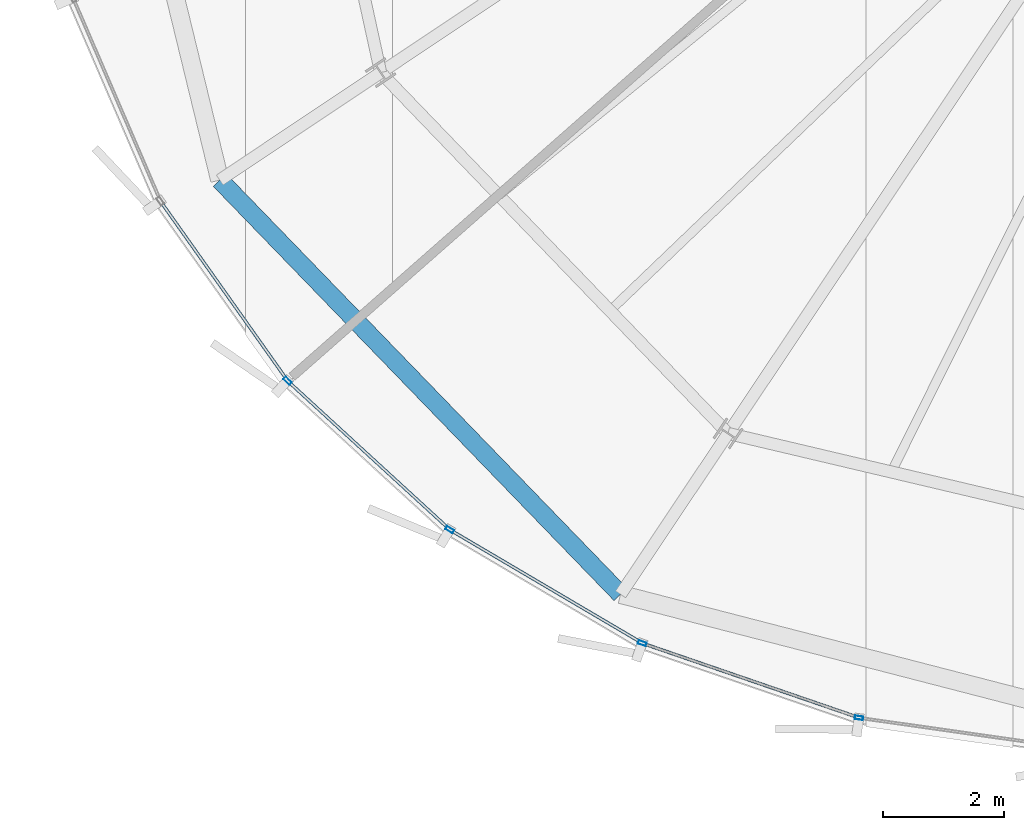
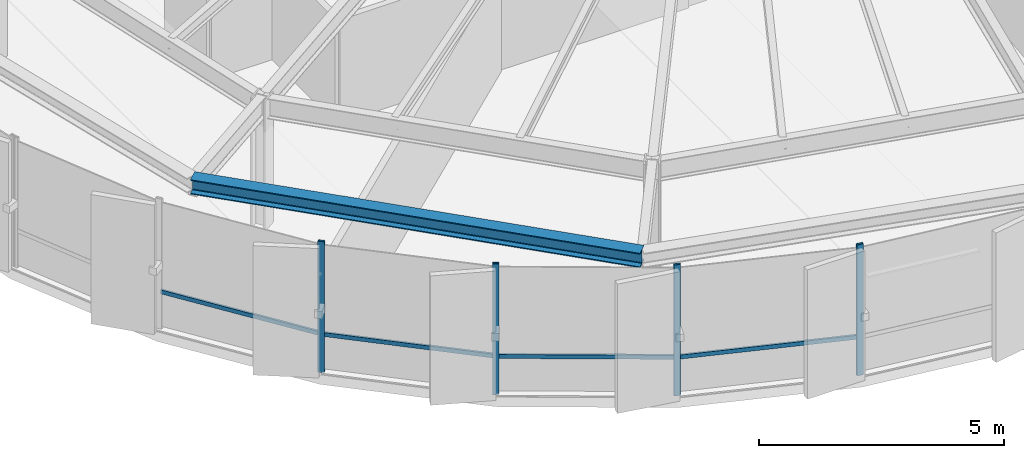
# One storey, part 2 of 37: 8 members, 1 beam, 1 element without a shape of its own.
"""IFC4 building model written with IfcOpenShell, lengths in metres."""

from ifc_helpers import new_model, si_unit, direction, frame, origin, origin_2d, place, context, subcontext, project, spatial, hollow_rectangle, i_section, extrude, source, transform, mapped, material, layer, layer_set, material_profile, profile_set, type_object, element, aggregate, save


model = new_model("IFC4")

# Units and contexts
model_context = context("Model", 3, precision=1e-05, world=origin(), true_north=direction((0.0, 1.0)))
body_context = subcontext(model_context, "Body", "Model", "MODEL_VIEW")
ifc_project = project(units=[si_unit("LENGTHUNIT", "METRE"), si_unit("AREAUNIT", "SQUARE_METRE"), si_unit("VOLUMEUNIT", "CUBIC_METRE"), si_unit("PLANEANGLEUNIT", "RADIAN"), si_unit("MASSUNIT", "GRAM", prefix="KILO"), si_unit("THERMODYNAMICTEMPERATUREUNIT", "KELVIN")], contexts=[model_context])

# Site, building, storey
site_placement = place(None, origin())
site = spatial("IfcSite", under=ifc_project, at=site_placement, CompositionType="ELEMENT")
building_placement = place(site_placement, origin())
building = spatial("IfcBuilding", under=site, at=building_placement, Name="Kethvar Cultural Tower", CompositionType="ELEMENT")
storey_placement = place(building_placement, frame((0.0, 0.0, 200.89990234375)))
storey = spatial("IfcBuildingStorey", under=building, at=storey_placement, Name="L52", CompositionType="ELEMENT", Elevation=200.89990234375)

# Beam
ifc_material_1 = material(Name="Steel S355J2", Category="steel")
ifc_material_profile_1 = material_profile(ifc_material_1, i_section(OverallWidth=0.300048828125, OverallDepth=0.360107421875, WebThickness=0.012451171875, FlangeThickness=0.0224609375, FilletRadius=0.027099609375, at=origin_2d()), Name="Steel S355J2 — HEB360")
ifc_profile_set_1 = profile_set([ifc_material_profile_1], Name="Steel S355J2 — HEB360")
beam_type = type_object("IfcBeamType", Name="BM-SP360", PredefinedType="SPANDREL", material=ifc_profile_set_1)
shared_shape_1 = source(origin(), body_context, "Body", "SweptSolid", [
    extrude(i_section(OverallWidth=0.300048828125, OverallDepth=0.360107421875, WebThickness=0.012451171875, FlangeThickness=0.0224609375, FilletRadius=0.027099609375, at=origin_2d()), origin(), (0.0, 0.0, 1.0), 9.531982421875),
])
beam_placement = place(storey_placement, frame((26.556884765625, 14.27392578125, 3.078125), z_axis=(0.695343772208, -0.71867728394, 0.0), x_axis=(0.71867728394, 0.695343772208, 0.0)))
element("IfcBeam", 1, at=beam_placement, inside=storey, type_object=beam_type, Name="L52 Perimeter Spandrel Beam SP-10", PredefinedType="SPANDREL", context=body_context, shape_type="MappedRepresentation", body=[
    mapped(shared_shape_1, transform((0.0, 0.0, 0.0), scale=1.0)),
])

# Curtain wall, members
ifc_material_2 = material(Name="Aluminium 6063-T6", Category="aluminium")
ifc_layer = layer(ifc_material_2, 0.179931640625, Name="Aluminium 6063-T6", Category="aluminium")
ifc_layer_set = layer_set([ifc_layer], Name="Aluminium 6063-T6 (180 mm)")
curtain_wall_type = type_object("IfcCurtainWallType", Name="CW-SYS-04-Z34", PredefinedType="NOTDEFINED", material=ifc_layer_set)
curtain_wall_placement = place(storey_placement, origin())
curtain_wall = element("IfcCurtainWall", 2, at=curtain_wall_placement, inside=storey, type_object=curtain_wall_type, Name="L52 Curtain Wall Run 04", PredefinedType="NOTDEFINED")
ifc_material_profile_2 = material_profile(ifc_material_2, hollow_rectangle(XDim=0.06005859375, YDim=0.139892578125, WallThickness=0.0048828125, at=origin_2d()), Name="Aluminium 6063-T6 — RHS140x60x5")
ifc_profile_set_2 = profile_set([ifc_material_profile_2], Name="Aluminium 6063-T6 — RHS140x60x5")
member_type_1 = type_object("IfcMemberType", Name="CW-SYS-04-Z34-MUL", PredefinedType="MULLION", material=ifc_profile_set_2)
shared_shape_2 = source(origin(), body_context, "Body", "SweptSolid", [
    extrude(hollow_rectangle(XDim=0.06005859375, YDim=0.139892578125, WallThickness=0.0048828125, at=origin_2d()), origin(), (0.0, 0.0, 1.0), 3.260009765625),
])
member_1_placement = place(storey_placement, frame((27.676025390625, 10.95556640625, 0.0), z_axis=(0.0, 0.0, 1.0), x_axis=(0.675680277993, 0.737194792393, 0.0)))
member_1 = element("IfcMember", 3, at=member_1_placement, type_object=member_type_1, Name="CW-L52-R04 Mullion 3", PredefinedType="MULLION", context=body_context, shape_type="MappedRepresentation", body=[
    mapped(shared_shape_2, transform((0.0, 0.0, 0.0), scale=1.0)),
])
member_2_placement = place(storey_placement, frame((30.358642578125, 8.493408203125, 0.0), z_axis=(0.0, 0.0, 1.0), x_axis=(0.507538362961, 0.861629160442, 0.0)))
member_2 = element("IfcMember", 4, at=member_2_placement, type_object=member_type_1, Name="CW-L52-R04 Mullion 4", PredefinedType="MULLION", context=body_context, shape_type="MappedRepresentation", body=[
    mapped(shared_shape_2, transform((0.0, 0.0, 0.0), scale=1.0)),
])
member_3_placement = place(storey_placement, frame((33.541015625, 6.616455078125, 0.0), z_axis=(0.0, 0.0, 1.0), x_axis=(0.325040026515, 0.945700259682, 0.0)))
member_3 = element("IfcMember", 5, at=member_3_placement, type_object=member_type_1, Name="CW-L52-R04 Mullion 5", PredefinedType="MULLION", context=body_context, shape_type="MappedRepresentation", body=[
    mapped(shared_shape_2, transform((0.0, 0.0, 0.0), scale=1.0)),
])
member_4_placement = place(storey_placement, frame((37.126953125, 5.3818359375, 0.0), z_axis=(0.0, 0.0, 1.0), x_axis=(0.140866673507, 0.990028575494, 0.0)))
member_4 = element("IfcMember", 6, at=member_4_placement, type_object=member_type_1, Name="CW-L52-R04 Mullion 6", PredefinedType="MULLION", context=body_context, shape_type="MappedRepresentation", body=[
    mapped(shared_shape_2, transform((0.0, 0.0, 0.0), scale=1.0)),
])
ifc_material_profile_3 = material_profile(ifc_material_2, hollow_rectangle(XDim=0.050048828125, YDim=0.10009765625, WallThickness=0.00390625, at=origin_2d()), Name="Aluminium 6063-T6 — RHS100x50x4")
ifc_profile_set_3 = profile_set([ifc_material_profile_3], Name="Aluminium 6063-T6 — RHS100x50x4")
member_type_2 = type_object("IfcMemberType", Name="CW-SYS-04-Z34-TRN", PredefinedType="USERDEFINED", material=ifc_profile_set_3)
shared_shape_3 = source(origin(), body_context, "Body", "SweptSolid", [
    extrude(hollow_rectangle(XDim=0.050048828125, YDim=0.10009765625, WallThickness=0.00390625, at=origin_2d()), origin(), (0.0, 0.0, 1.0), 3.726806640625),
])
member_5_placement = place(storey_placement, frame((33.581787109375, 6.602294921875, 0.9501953125), z_axis=(0.945714287786, -0.32499920904, 0.0), x_axis=(0.32499920904, 0.945714287786, 0.0)))
member_5 = element("IfcMember", 7, at=member_5_placement, type_object=member_type_2, Name="CW-L52-R04 Transom 5", ObjectType="TRANSOM", PredefinedType="USERDEFINED", context=body_context, shape_type="MappedRepresentation", body=[
    mapped(shared_shape_3, transform((0.0, 0.0, 0.0), scale=1.0)),
])
shared_shape_4 = source(origin(), body_context, "Body", "SweptSolid", [
    extrude(hollow_rectangle(XDim=0.050048828125, YDim=0.10009765625, WallThickness=0.00390625, at=origin_2d()), origin(), (0.0, 0.0, 1.0), 3.630126953125),
])
member_6_placement = place(storey_placement, frame((30.39599609375, 8.4716796875, 0.9501953125), z_axis=(0.861607268898, -0.507575525593, 0.0), x_axis=(0.507575525593, 0.861607268898, 0.0)))
member_6 = element("IfcMember", 8, at=member_6_placement, type_object=member_type_2, Name="CW-L52-R04 Transom 4", ObjectType="TRANSOM", PredefinedType="USERDEFINED", context=body_context, shape_type="MappedRepresentation", body=[
    mapped(shared_shape_4, transform((0.0, 0.0, 0.0), scale=1.0)),
])
shared_shape_5 = source(origin(), body_context, "Body", "SweptSolid", [
    extrude(hollow_rectangle(XDim=0.050048828125, YDim=0.10009765625, WallThickness=0.00390625, at=origin_2d()), origin(), (0.0, 0.0, 1.0), 3.577880859375),
])
member_7_placement = place(storey_placement, frame((25.5986328125, 13.892822265625, 0.9501953125), z_axis=(0.577973794014, -0.816055324983, 0.0), x_axis=(0.816055324983, 0.577973794014, 0.0)))
member_7 = element("IfcMember", 9, at=member_7_placement, type_object=member_type_2, Name="CW-L52-R04 Transom 2", ObjectType="TRANSOM", PredefinedType="USERDEFINED", context=body_context, shape_type="MappedRepresentation", body=[
    mapped(shared_shape_5, transform((0.0, 0.0, 0.0), scale=1.0)),
])
shared_shape_6 = source(origin(), body_context, "Body", "SweptSolid", [
    extrude(hollow_rectangle(XDim=0.050048828125, YDim=0.10009765625, WallThickness=0.00390625, at=origin_2d()), origin(), (0.0, 0.0, 1.0), 3.577392578125),
])
member_8_placement = place(storey_placement, frame((27.7080078125, 10.92626953125, 0.9501953125), z_axis=(0.737182467665, -0.675693724528, 0.0), x_axis=(0.675693724528, 0.737182467665, 0.0)))
member_8 = element("IfcMember", 10, at=member_8_placement, type_object=member_type_2, Name="CW-L52-R04 Transom 3", ObjectType="TRANSOM", PredefinedType="USERDEFINED", context=body_context, shape_type="MappedRepresentation", body=[
    mapped(shared_shape_6, transform((0.0, 0.0, 0.0), scale=1.0)),
])
aggregate(curtain_wall, [member_1, member_2, member_3, member_4, member_7, member_8, member_6, member_5])

save(model, "model.ifc")
